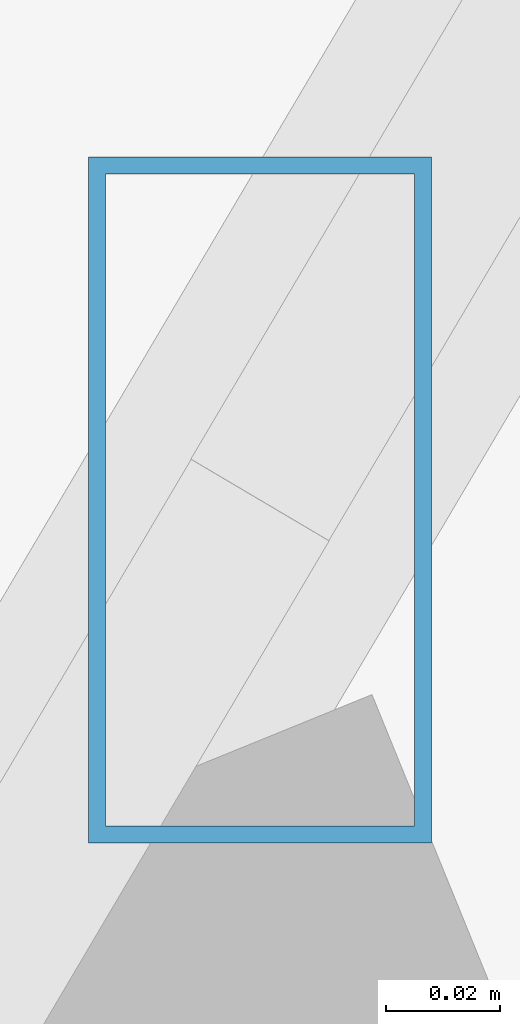
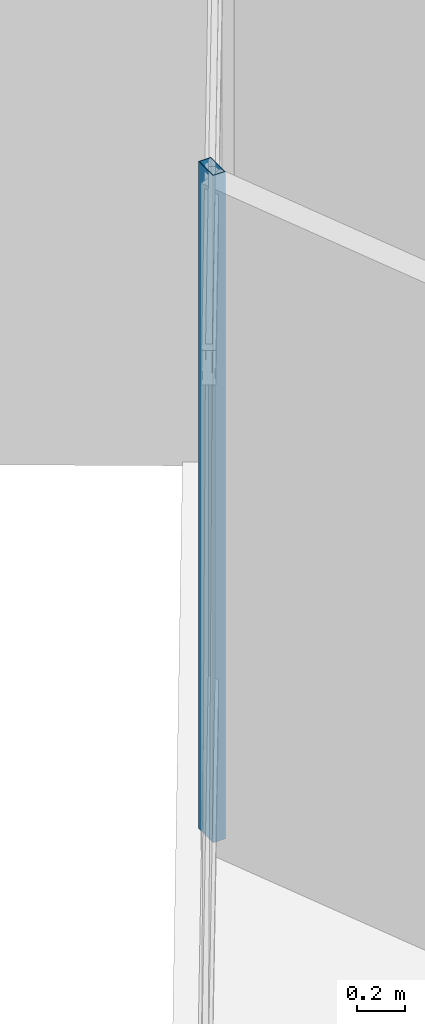
# One storey, part 32 of 48: 1 member, 1 element without a shape of its own.
"""IFC4 building model written with IfcOpenShell, lengths in metres."""

from ifc_helpers import new_model, si_unit, direction, frame, origin, origin_2d, place, context, subcontext, project, spatial, hollow_rectangle, extrude, source, transform, mapped, material, material_profile, profile_set, type_object, type_shapes, element, aggregate, save


model = new_model("IFC4")

# Units and contexts
model_context = context("Model", 3, precision=1e-05, world=origin(), true_north=direction((0.0, 1.0)))
body_context = subcontext(model_context, "Body", "Model", "MODEL_VIEW")
ifc_project = project(units=[si_unit("LENGTHUNIT", "METRE"), si_unit("AREAUNIT", "SQUARE_METRE"), si_unit("VOLUMEUNIT", "CUBIC_METRE"), si_unit("PLANEANGLEUNIT", "RADIAN"), si_unit("MASSUNIT", "GRAM", prefix="KILO")], contexts=[model_context])

# Site, building, storey
site_placement = place(None, origin())
site = spatial("IfcSite", under=ifc_project, at=site_placement, CompositionType="ELEMENT")
building_placement = place(site_placement, origin())
building = spatial("IfcBuilding", under=site, at=building_placement, Name="Caelisora Broadcast Tower", CompositionType="ELEMENT")
storey_placement = place(building_placement, frame((0.0, 0.0, 270.0)))
storey = spatial("IfcBuildingStorey", under=building, at=storey_placement, Name="L71", CompositionType="ELEMENT", Elevation=270.0)

# Curtain wall, member
ifc_material_1 = material(Name="Unitised Aluminium and Low-E Glass Curtain Wall", Category="glass")
curtain_wall_type = type_object("IfcCurtainWallType", Name="CW-Z5", PredefinedType="NOTDEFINED", material=ifc_material_1)
curtain_wall_placement = place(storey_placement, origin())
curtain_wall = element("IfcCurtainWall", 1, at=curtain_wall_placement, inside=storey, type_object=curtain_wall_type, Name="L71 curtain wall CW-Z5", PredefinedType="NOTDEFINED")
ifc_material_2 = material(Name="Aluminium 6063-T6 Anodised Terracotta Bronze", Category="aluminium")
ifc_material_profile = material_profile(ifc_material_2, hollow_rectangle(XDim=0.06005859375, YDim=0.1201171875, WallThickness=0.0029296875, at=origin_2d()), Name="Aluminium 6063-T6 Anodised Terracotta Bronze")
ifc_profile_set = profile_set([ifc_material_profile], Name="Aluminium 6063-T6 Anodised Terracotta Bronze")
member_type = type_object("IfcMemberType", Name="CWM-04", PredefinedType="MULLION", material=ifc_profile_set)
shared_shape = source(origin(), body_context, "Body", "SweptSolid", [
    extrude(hollow_rectangle(XDim=0.06005859375, YDim=0.1201171875, WallThickness=0.0029296875, at=origin_2d()), origin(), (0.0, 0.0, 1.0), 3.39990234375),
])
type_shapes(member_type, [shared_shape])
member_placement = place(storey_placement, frame((30.525634765625, 42.5078125, 0.0), z_axis=(0.0, 0.0, 1.0), x_axis=(1.0, 0.0, 0.0)))
member = element("IfcMember", 2, at=member_placement, type_object=member_type, Name="L71-CW-B11 mullion #1", PredefinedType="MULLION", context=body_context, shape_type="MappedRepresentation", body=[
    mapped(shared_shape, transform((0.0, 0.0, 0.0), scale=1.0)),
])
aggregate(curtain_wall, [member])

save(model, "model.ifc")
